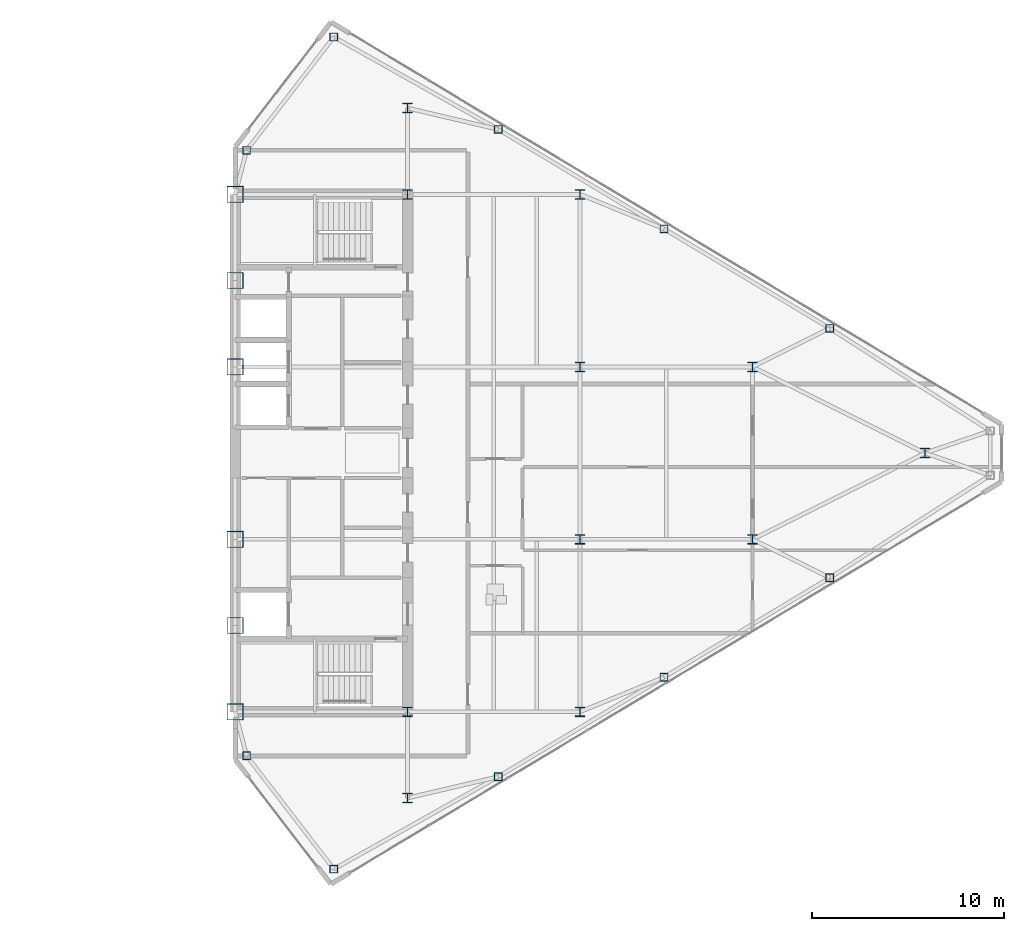
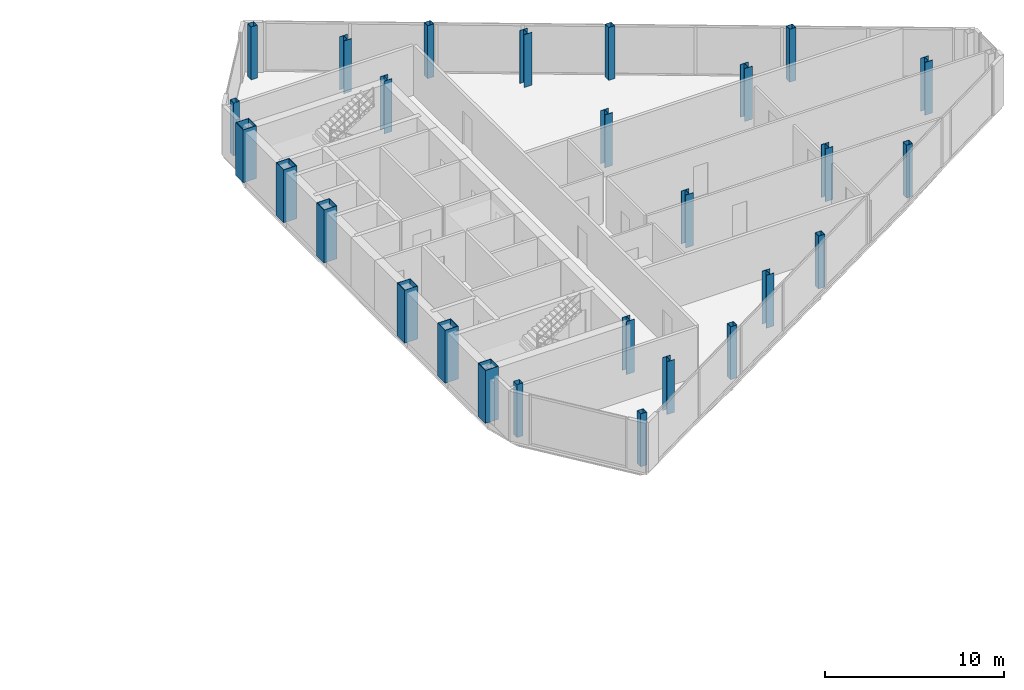
# One storey, part 3 of 25: 27 columns.
"""IFC4 building model written with IfcOpenShell, lengths in metres."""

import ifcopenshell
import ifcopenshell.guid

model = None  # the IFC model being written
_history = None  # IfcOwnerHistory: only IFC2X3 demands one
_inside = {}  # id of a spatial element -> (the spatial element, [elements in it])
_under = {}  # id of a project, library or spatial element -> (it, [spatial elements below it])
_declared = {}  # id of a project -> (the project, [libraries it declares])
_typed = {}  # id of a type object -> (the type object, [elements of that type])
_made_of = {}  # id of a material, layer set ... -> (it, [elements and type objects made of it])


def new_model(schema):
    """Start an empty IFC model of exactly this schema.

    Asked for "IFC4X3", IfcOpenShell would pick the latest addendum, in which some entities
    have other attributes; the version numbers below select the first issue.
    IFC2X3 requires an IfcOwnerHistory on every rooted entity: one is made here for all.
    """
    global model, _history
    if schema == "IFC4X3":
        model = ifcopenshell.file(schema_version=(4, 3, 0, 0))
    else:
        model = ifcopenshell.file(schema=schema)
    _inside.clear()
    _under.clear()
    _declared.clear()
    _typed.clear()
    _made_of.clear()
    _history = None
    if model.schema == "IFC2X3":
        org = make("IfcOrganization", Name="unknown")
        user = make(
            "IfcPersonAndOrganization",
            ThePerson=make("IfcPerson", FamilyName="unknown"),
            TheOrganization=org,
        )
        app = make(
            "IfcApplication",
            ApplicationDeveloper=org,
            Version="unknown",
            ApplicationFullName="unknown",
            ApplicationIdentifier="unknown",
        )
        _history = make(
            "IfcOwnerHistory",
            OwningUser=user,
            OwningApplication=app,
            ChangeAction="ADDED",
            CreationDate=0,
        )
    return model


def make(cls, **values):
    """One entity of the class cls with the attributes given. An attribute that is None is left unset."""
    return model.create_entity(
        cls, **{name: value for name, value in values.items() if value is not None}
    )


def rooted(cls, **values):
    """An entity with a GlobalId (a new one), such as an element, a storey or a relation."""
    return make(cls, GlobalId=ifcopenshell.guid.new(), OwnerHistory=_history, **values)


def si_unit(unit_type, name, prefix=None):
    """IfcSIUnit, for example si_unit("LENGTHUNIT", "METRE", prefix="MILLI")."""
    return make("IfcSIUnit", UnitType=unit_type, Prefix=prefix, Name=name)


def assignment(units):
    """IfcUnitAssignment: the units of a project."""
    return None if units is None else make("IfcUnitAssignment", Units=units)


def point(xyz):
    """IfcCartesianPoint."""
    return None if xyz is None else make("IfcCartesianPoint", Coordinates=xyz)


def direction(xyz):
    """IfcDirection."""
    return None if xyz is None else make("IfcDirection", DirectionRatios=xyz)


def frame(location, z_axis=None, x_axis=None):
    """IfcAxis2Placement3D, a coordinate frame: its origin and axes. An axis left out is left unset."""
    return make(
        "IfcAxis2Placement3D",
        Location=point(location),
        Axis=direction(z_axis),
        RefDirection=direction(x_axis),
    )


def frame_2d(location, x_axis=None):
    """IfcAxis2Placement2D, a coordinate frame in the plane: its origin and x axis."""
    return make(
        "IfcAxis2Placement2D", Location=point(location), RefDirection=direction(x_axis)
    )


def origin():
    """The frame at (0, 0, 0) with its axes left unset."""
    return frame((0.0, 0.0, 0.0))


def origin_2d():
    """The frame at (0, 0) in the plane with its x axis left unset."""
    return frame_2d((0.0, 0.0))


def place(relative_to, where):
    """IfcLocalPlacement: puts the frame where relative to a parent placement (None: the world)."""
    return make(
        "IfcLocalPlacement", PlacementRelTo=relative_to, RelativePlacement=where
    )


def context(
    kind, dimensions, precision=None, world=None, true_north=None, identifier=None
):
    """IfcGeometricRepresentationContext, for example the 3D "Model" context."""
    return make(
        "IfcGeometricRepresentationContext",
        ContextIdentifier=identifier,
        ContextType=kind,
        CoordinateSpaceDimension=dimensions,
        Precision=precision,
        WorldCoordinateSystem=world,
        TrueNorth=true_north,
    )


def subcontext(parent, identifier, kind, view, scale=None):
    """IfcGeometricRepresentationSubContext, for example "Body" below "Model"."""
    return make(
        "IfcGeometricRepresentationSubContext",
        ContextIdentifier=identifier,
        ContextType=kind,
        ParentContext=parent,
        TargetScale=scale,
        TargetView=view,
    )


def project(units=None, contexts=None):
    """IfcProject with its units and contexts."""
    return rooted(
        "IfcProject",
        Name="project",
        RepresentationContexts=contexts,
        UnitsInContext=assignment(units),
    )


def spatial(cls, under=None, at=None, **own):
    """A site, building, storey or space (cls), placed at a placement, below another one or the project."""
    s = rooted(cls, ObjectPlacement=at, **own)
    if under is not None:
        _under.setdefault(under.id(), (under, []))[1].append(s)
    return s


def profile(cls, at=None, kind="AREA", **sizes):
    """A parametric profile (cls). Its sizes go by their IFC names, for example OverallWidth=200.0."""
    return make(cls, ProfileType=kind, Position=at, **sizes)


def hollow_rectangle(**sizes):
    """IfcRectangleHollowProfileDef."""
    return profile("IfcRectangleHollowProfileDef", **sizes)


def i_section(**sizes):
    """IfcIShapeProfileDef."""
    return profile("IfcIShapeProfileDef", **sizes)


def extrude(swept, where, along, depth):
    """IfcExtrudedAreaSolid: the profile swept, set in the frame where, extruded along a direction by depth."""
    return make(
        "IfcExtrudedAreaSolid",
        SweptArea=swept,
        Position=where,
        ExtrudedDirection=direction(along),
        Depth=depth,
    )


def shape(context_of_items, identifier, shape_type, items):
    """IfcShapeRepresentation: the items that make up one representation, for example the "Body"."""
    return make(
        "IfcShapeRepresentation",
        ContextOfItems=context_of_items,
        RepresentationIdentifier=identifier,
        RepresentationType=shape_type,
        Items=items,
    )


def source(mapping_origin, context_of_items, identifier, shape_type, items):
    """IfcRepresentationMap: a shape defined once, which mapped items show again and again."""
    return make(
        "IfcRepresentationMap",
        MappingOrigin=mapping_origin,
        MappedRepresentation=shape(context_of_items, identifier, shape_type, items),
    )


def transform(
    local_origin,
    x_axis=None,
    y_axis=None,
    z_axis=None,
    scale=None,
    scale2=None,
    scale3=None,
    uniform=True,
):
    """IfcCartesianTransformationOperator3D, or its non-uniform kind. x_axis, y_axis, z_axis: its Axis1, 2, 3."""
    if uniform:
        return make(
            "IfcCartesianTransformationOperator3D",
            Axis1=direction(x_axis),
            Axis2=direction(y_axis),
            LocalOrigin=point(local_origin),
            Scale=scale,
            Axis3=direction(z_axis),
        )
    return make(
        "IfcCartesianTransformationOperator3DnonUniform",
        Axis1=direction(x_axis),
        Axis2=direction(y_axis),
        LocalOrigin=point(local_origin),
        Scale=scale,
        Axis3=direction(z_axis),
        Scale2=scale2,
        Scale3=scale3,
    )


def mapped(mapping_source, mapping_target):
    """IfcMappedItem: shows the shape of a source again, moved by a transform."""
    return make(
        "IfcMappedItem", MappingSource=mapping_source, MappingTarget=mapping_target
    )


def material(Name=None, Category=None):
    """IfcMaterial."""
    return make("IfcMaterial", Name=Name, Category=Category)


def material_profile(
    of_material, cross_section, Name=None, Category=None, Priority=None
):
    """IfcMaterialProfile: a cross section and its material."""
    return make(
        "IfcMaterialProfile",
        Name=Name,
        Material=of_material,
        Profile=cross_section,
        Priority=Priority,
        Category=Category,
    )


def profile_set(profiles, Name=None, composite=None):
    """IfcMaterialProfileSet."""
    return make(
        "IfcMaterialProfileSet",
        Name=Name,
        MaterialProfiles=profiles,
        CompositeProfile=composite,
    )


def made_of(thing, what):
    """Note that an element or type object is made of a material, layer set ...; save() writes the relation."""
    if what is not None:
        _made_of.setdefault(what.id(), (what, []))[1].append(thing)
    return thing


def type_object(cls, material=None, **own):
    """A type object (cls), such as IfcWallType, which elements share."""
    return made_of(rooted(cls, **own), material)


def type_shapes(of_type, sources):
    """Give a type object the sources (RepresentationMaps) that its elements show as mapped items."""
    of_type.RepresentationMaps = sources


def element(
    cls,
    number,
    at=None,
    inside=None,
    cuts=None,
    type_object=None,
    material=None,
    context=None,
    identifier="Body",
    shape_type=None,
    held_by="IfcProductDefinitionShape",
    body=None,
    shapes=None,
    **own,
):
    """One element of the class cls, such as IfcWall. Its Tag is "e" and its number.

    at: its placement. inside: the storey or other place that contains it. cuts: it is an
    opening in that element (IfcRelVoidsElement). A single representation is given by context,
    identifier, shape_type and body (its items); several are given by shapes. held_by: the class
    of the entity that holds the representations. save() writes the other relations.
    """
    e = rooted(cls, Tag="e%d" % number, ObjectPlacement=at, **own)
    if body is not None:
        shapes = [shape(context, identifier, shape_type, body)]
    if shapes is not None:
        e.Representation = make(held_by, Representations=shapes)
    if inside is not None:
        _inside.setdefault(inside.id(), (inside, []))[1].append(e)
    if cuts is not None:
        rooted(
            "IfcRelVoidsElement", RelatingBuildingElement=cuts, RelatedOpeningElement=e
        )
    if type_object is not None:
        _typed.setdefault(type_object.id(), (type_object, []))[1].append(e)
    return made_of(e, material)


def aggregate(whole, parts):
    """IfcRelAggregates: a whole, such as a stair, and the parts it consists of."""
    return rooted("IfcRelAggregates", RelatingObject=whole, RelatedObjects=parts)


def save(model, path):
    """Write the relations noted so far, then the file.

    IfcRelAggregates (storeys below a building ...), IfcRelContainedInSpatialStructure (elements
    in a storey), IfcRelDefinesByType, IfcRelAssociatesMaterial and IfcRelDeclares: one each for
    every whole, place, type object, material and project.
    """
    for whole, parts in _under.values():
        aggregate(whole, parts)
    for where, things in _inside.values():
        rooted(
            "IfcRelContainedInSpatialStructure",
            RelatedElements=things,
            RelatingStructure=where,
        )
    for kind, things in _typed.values():
        rooted("IfcRelDefinesByType", RelatedObjects=things, RelatingType=kind)
    for what, things in _made_of.values():
        rooted("IfcRelAssociatesMaterial", RelatedObjects=things, RelatingMaterial=what)
    for by, libraries in _declared.values():
        rooted("IfcRelDeclares", RelatingContext=by, RelatedDefinitions=libraries)
    model.write(path)


model = new_model("IFC4")

# Units and contexts
model_context = context("Model", 3, precision=1e-05, world=origin(), true_north=direction((0.0, 1.0)))
body_context = subcontext(model_context, "Body", "Model", "MODEL_VIEW")
ifc_project = project(units=[si_unit("LENGTHUNIT", "METRE"), si_unit("AREAUNIT", "SQUARE_METRE"), si_unit("VOLUMEUNIT", "CUBIC_METRE"), si_unit("PLANEANGLEUNIT", "RADIAN"), si_unit("MASSUNIT", "GRAM", prefix="KILO")], contexts=[model_context])

# Site, building, storey
site_placement = place(None, origin())
site = spatial("IfcSite", under=ifc_project, at=site_placement, CompositionType="ELEMENT")
building_placement = place(site_placement, origin())
building = spatial("IfcBuilding", under=site, at=building_placement, Name="Seokmaru Belvedere", CompositionType="ELEMENT")
storey_placement = place(building_placement, frame((0.0, 0.0, 206.699951171875)))
storey = spatial("IfcBuildingStorey", under=building, at=storey_placement, Name="L55", CompositionType="ELEMENT", Elevation=206.699951171875)

# Columns
ifc_material_1 = material(Name="Steel HSA650 (650 MPa)", Category="steel")
ifc_material_profile_1 = material_profile(ifc_material_1, hollow_rectangle(XDim=0.85009765625, YDim=0.85009765625, WallThickness=0.035888671875, at=origin_2d()), Name="BOX-850x850x36")
ifc_profile_set_1 = profile_set([ifc_material_profile_1], Name="Steel HSA650 (650 MPa)")
column_type_1 = type_object("IfcColumnType", Name="Portal Spine Column BOX-850", PredefinedType="COLUMN", material=ifc_profile_set_1)
shared_shape_1 = source(origin(), body_context, "Body", "SweptSolid", [
    extrude(hollow_rectangle(XDim=0.85009765625, YDim=0.85009765625, WallThickness=0.035888671875, at=origin_2d()), origin(), (0.0, 0.0, 1.0), 3.60009765625),
])
type_shapes(column_type_1, [shared_shape_1])
for number, where, z_axis, x_axis, name in (
    (1, (27.5, -13.5, 0.0), (0.0, 0.0, 1.0), (1.0, 0.0, 0.0), "L55 Column ES1"),
    (2, (27.5, -9.0, 0.0), (0.0, 0.0, 1.0), (1.0, 0.0, 0.0), "L55 Column ES2"),
    (3, (27.5, -4.5, 0.0), (0.0, 0.0, 1.0), (1.0, 0.0, 0.0), "L55 Column ES3"),
    (4, (27.5, 4.5, 0.0), (0.0, 0.0, 1.0), (1.0, 0.0, 0.0), "L55 Column ES4"),
    (5, (27.5, 9.0, 0.0), (0.0, 0.0, 1.0), (1.0, 0.0, 0.0), "L55 Column ES5"),
    (6, (27.5, 13.5, 0.0), (0.0, 0.0, 1.0), (1.0, 0.0, 0.0), "L55 Column ES6"),
):
    element("IfcColumn", number, at=place(storey_placement, frame(where, z_axis=z_axis, x_axis=x_axis)), inside=storey, type_object=column_type_1, Name=name, PredefinedType="COLUMN", context=body_context, shape_type="MappedRepresentation", body=[
        mapped(shared_shape_1, transform((0.0, 0.0, 0.0), scale=1.0)),
    ])
ifc_material_2 = material(Name="Steel SM355 (355 MPa)", Category="steel")
ifc_material_profile_2 = material_profile(ifc_material_2, i_section(OverallWidth=0.5, OverallDepth=0.5, WebThickness=0.02001953125, FlangeThickness=0.031982421875, at=origin_2d()), Name="H-500x500x20x32")
ifc_profile_set_2 = profile_set([ifc_material_profile_2], Name="Steel SM355 (355 MPa)")
column_type_2 = type_object("IfcColumnType", Name="High-Rise Interior Column H-500", PredefinedType="COLUMN", material=ifc_profile_set_2)
shared_shape_2 = source(origin(), body_context, "Body", "SweptSolid", [
    extrude(i_section(OverallWidth=0.5, OverallDepth=0.5, WebThickness=0.02001953125, FlangeThickness=0.031982421875, at=origin_2d()), origin(), (0.0, 0.0, 1.0), 3.60009765625),
])
type_shapes(column_type_2, [shared_shape_2])
for number, where, z_axis, x_axis, name in (
    (7, (36.5, -18.0, 0.0), (0.0, 0.0, 1.0), (1.0, 0.0, 0.0), "L55 Column EC1"),
    (8, (36.5, -13.5, 0.0), (0.0, 0.0, 1.0), (1.0, 0.0, 0.0), "L55 Column EC2"),
    (9, (36.5, 13.5, 0.0), (0.0, 0.0, 1.0), (1.0, 0.0, 0.0), "L55 Column EC3"),
    (10, (36.5, 18.0, 0.0), (0.0, 0.0, 1.0), (1.0, 0.0, 0.0), "L55 Column EC4"),
    (11, (45.5, -13.5, 0.0), (0.0, 0.0, 1.0), (1.0, 0.0, 0.0), "L55 Column EG5_1"),
    (12, (45.5, -4.5, 0.0), (0.0, 0.0, 1.0), (1.0, 0.0, 0.0), "L55 Column EG5_2"),
    (13, (45.5, 4.5, 0.0), (0.0, 0.0, 1.0), (1.0, 0.0, 0.0), "L55 Column EG5_3"),
    (14, (45.5, 13.5, 0.0), (0.0, 0.0, 1.0), (1.0, 0.0, 0.0), "L55 Column EG5_4"),
    (15, (54.5, -4.5, 0.0), (0.0, 0.0, 1.0), (1.0, 0.0, 0.0), "L55 Column EG4P_1"),
    (16, (54.5, 4.5, 0.0), (0.0, 0.0, 1.0), (1.0, 0.0, 0.0), "L55 Column EG4P_2"),
    (17, (63.5, 0.0, 0.0), (0.0, 0.0, 1.0), (1.0, 0.0, 0.0), "L55 Column EG3P_1"),
):
    element("IfcColumn", number, at=place(storey_placement, frame(where, z_axis=z_axis, x_axis=x_axis)), inside=storey, type_object=column_type_2, Name=name, PredefinedType="COLUMN", context=body_context, shape_type="MappedRepresentation", body=[
        mapped(shared_shape_2, transform((0.0, 0.0, 0.0), scale=1.0)),
    ])
ifc_material_profile_3 = material_profile(ifc_material_2, hollow_rectangle(XDim=0.39990234375, YDim=0.39990234375, WallThickness=0.01611328125, at=origin_2d()), Name="HSS-400x400x16")
ifc_profile_set_3 = profile_set([ifc_material_profile_3], Name="Steel SM355 (355 MPa)")
column_type_3 = type_object("IfcColumnType", Name="Perimeter Facet Column HSS-400", PredefinedType="COLUMN", material=ifc_profile_set_3)
shared_shape_3 = source(origin(), body_context, "Body", "SweptSolid", [
    extrude(hollow_rectangle(XDim=0.39990234375, YDim=0.39990234375, WallThickness=0.01611328125, at=origin_2d()), origin(), (0.0, 0.0, 1.0), 3.60009765625),
])
type_shapes(column_type_3, [shared_shape_3])
for number, where, z_axis, x_axis, name in (
    (18, (32.649658203125, -21.71044921875, 0.0), (0.0, 0.0, 1.0), (1.0, 0.0, 0.0), "L55 Column EF1"),
    (19, (32.649658203125, 21.71044921875, 0.0), (0.0, 0.0, 1.0), (1.0, 0.0, 0.0), "L55 Column EF4"),
    (20, (28.10009765625, 15.7958984375, 0.0), (0.0, 0.0, 1.0), (1.0, 0.0, 0.0), "L55 Column EF5"),
    (21, (28.10009765625, -15.7958984375, 0.0), (0.0, 0.0, 1.0), (1.0, 0.0, 0.0), "L55 Column EF6"),
    (22, (41.229736328125, -16.888916015625, 0.0), (0.0, 0.0, 1.0), (1.0, 0.0, 0.0), "L55 Column EFLK_S1"),
    (23, (49.8798828125, -11.698974609375, 0.0), (0.0, 0.0, 1.0), (1.0, 0.0, 0.0), "L55 Column EFLK_S2"),
    (24, (58.530029296875, -6.5087890625, 0.0), (0.0, 0.0, 1.0), (1.0, 0.0, 0.0), "L55 Column EFLK_S3"),
    (25, (41.229736328125, 16.888916015625, 0.0), (0.0, 0.0, 1.0), (1.0, 0.0, 0.0), "L55 Column EFLK_N1"),
    (26, (49.8798828125, 11.698974609375, 0.0), (0.0, 0.0, 1.0), (1.0, 0.0, 0.0), "L55 Column EFLK_N2"),
    (27, (58.530029296875, 6.5087890625, 0.0), (0.0, 0.0, 1.0), (1.0, 0.0, 0.0), "L55 Column EFLK_N3"),
):
    element("IfcColumn", number, at=place(storey_placement, frame(where, z_axis=z_axis, x_axis=x_axis)), inside=storey, type_object=column_type_3, Name=name, PredefinedType="COLUMN", context=body_context, shape_type="MappedRepresentation", body=[
        mapped(shared_shape_3, transform((0.0, 0.0, 0.0), scale=1.0)),
    ])

save(model, "model.ifc")
